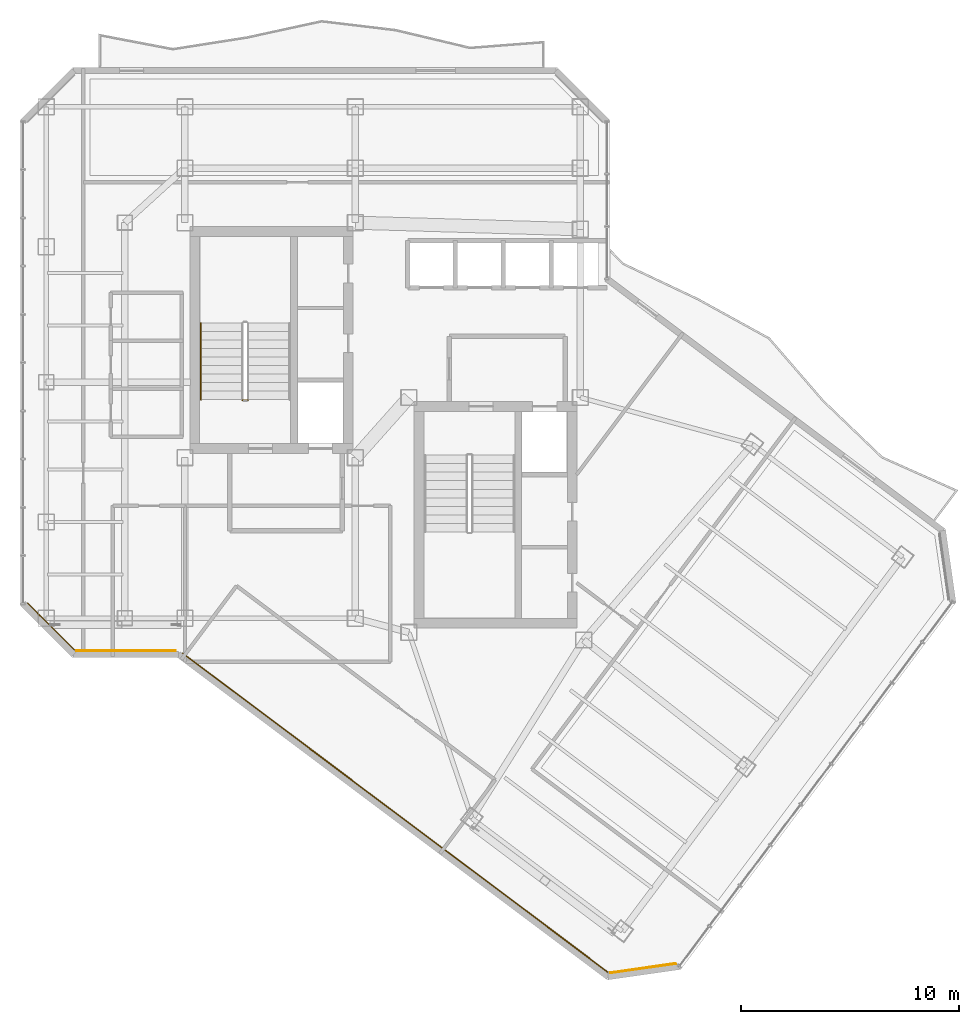
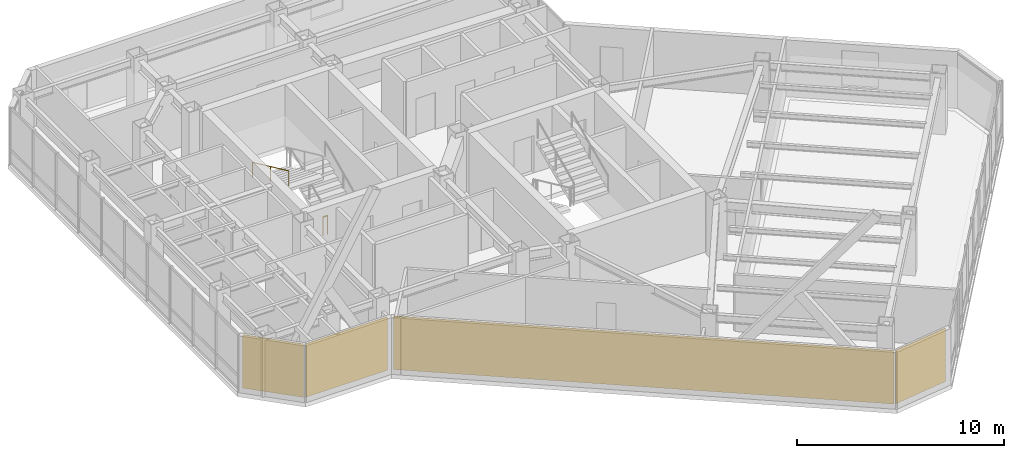
# One storey, part 22 of 24: 4 coverings, 2 railings.
"""IFC4 building model written with IfcOpenShell, lengths in metres."""

from ifc_helpers import new_model, si_unit, direction, frame, origin, origin_2d, place, context, subcontext, project, spatial, rectangle, circle, extrude, material, layer, layer_set, type_object, element, save


model = new_model("IFC4")

# Units and contexts
model_context = context("Model", 3, precision=1e-05, world=origin(), true_north=direction((0.0, 1.0)))
body_context = subcontext(model_context, "Body", "Model", "MODEL_VIEW")
ifc_project = project(units=[si_unit("LENGTHUNIT", "METRE"), si_unit("AREAUNIT", "SQUARE_METRE"), si_unit("VOLUMEUNIT", "CUBIC_METRE"), si_unit("PLANEANGLEUNIT", "RADIAN"), si_unit("MASSUNIT", "GRAM", prefix="KILO")], contexts=[model_context])

# Site, building, storey
site_placement = place(None, origin())
site = spatial("IfcSite", under=ifc_project, at=site_placement, CompositionType="ELEMENT")
building_placement = place(site_placement, origin())
building = spatial("IfcBuilding", under=site, at=building_placement, Name="Hatsunagi Terrace Concourse", CompositionType="ELEMENT")
storey_placement = place(building_placement, frame((0.0, 0.0, 191.550048828125)))
storey = spatial("IfcBuildingStorey", under=building, at=storey_placement, Name="L50", CompositionType="ELEMENT", Elevation=191.550048828125)

# Railings
ifc_material_1 = material(Name="Stainless steel", Category="steel")
ifc_layer_1 = layer(ifc_material_1, 0.044921875)
ifc_layer_set_1 = layer_set([ifc_layer_1], Name="StairPitchHandrail_Tower2000")
railing_type_1 = type_object("IfcRailingType", Name="StairPitchHandrail_Tower2000", PredefinedType="HANDRAIL", material=ifc_layer_set_1)
railing_1_placement = place(storey_placement, frame((26.280029296875, 38.7099609375, 1.97998046875)))
element("IfcRailing", 1, at=railing_1_placement, inside=storey, type_object=railing_type_1, Name="L50 ST-A stair handrail 2", PredefinedType="HANDRAIL", context=body_context, shape_type="SweptSolid", body=[
    extrude(circle(Radius=0.02392578125, at=origin_2d()), frame((0.0, 0.0, 0.8759765625), z_axis=(0.0, -0.907972323039, 0.419030142823), x_axis=(1.0, 0.0, 0.0)), (0.0, 0.0, 1.0), 3.86572265625),
    extrude(circle(Radius=0.02099609375, at=origin_2d()), origin(), (0.0, 0.0, 1.0), 0.851806640625),
    extrude(circle(Radius=0.02099609375, at=origin_2d()), frame((0.0, -1.7548828125, 0.81005859375)), (0.0, 0.0, 1.0), 0.851806640625),
    extrude(circle(Radius=0.02099609375, at=origin_2d()), frame((0.0, -3.510009765625, 1.619873046875)), (0.0, 0.0, 1.0), 0.851806640625),
])
ifc_material_2 = material(Name="Stainless Steel SUS316 Post-and-Rail Guard", Category="steel")
ifc_layer_2 = layer(ifc_material_2, 0.080078125)
ifc_layer_set_2 = layer_set([ifc_layer_2], Name="TerracePlantedGuardRail_1200")
railing_type_2 = type_object("IfcRailingType", Name="TerracePlantedGuardRail_1200", PredefinedType="GUARDRAIL", material=ifc_layer_set_2)
railing_2_placement = place(storey_placement, frame((28.179931640625, 35.179931640625, 0.0)))
element("IfcRailing", 2, at=railing_2_placement, inside=storey, type_object=railing_type_2, Name="Stair ST-A Well Closure Guard L50", PredefinedType="GUARDRAIL", context=body_context, shape_type="SweptSolid", body=[
    extrude(circle(Radius=0.02392578125, at=origin_2d()), frame((0.0, 0.0, 1.09619140625), z_axis=(1.0, 0.0, 0.0), x_axis=(0.0, 1.0, 0.0)), (0.0, 0.0, 1.0), 0.25),
    extrude(circle(Radius=0.02099609375, at=origin_2d()), origin(), (0.0, 0.0, 1.0), 1.072021484375),
    extrude(circle(Radius=0.02099609375, at=origin_2d()), frame((0.25, 0.0, 0.0)), (0.0, 0.0, 1.0), 1.072021484375),
])

# Coverings
ifc_material_3 = material(Name="Unglazed Warm Terracotta Rainscreen Tile", Category="masonry")
ifc_layer_3 = layer(ifc_material_3, 0.044921875)
ifc_layer_set_3 = layer_set([ifc_layer_3], Name="TerracottaRainscreenCladding_45")
covering_type = type_object("IfcCoveringType", Name="TerracottaRainscreenCladding_45", PredefinedType="CLADDING", material=ifc_layer_set_3)
covering_1_placement = place(storey_placement, frame((46.51806640625, 9.178955078125, 0.10009765625), z_axis=(0.0, 0.0, 1.0), x_axis=(-0.989973920543, -0.141250262458, 0.0)))
element("IfcCovering", 3, at=covering_1_placement, inside=storey, type_object=covering_type, Name="Terracotta Rainscreen Cladding L50-04", PredefinedType="CLADDING", context=body_context, shape_type="SweptSolid", body=[
    extrude(rectangle(XDim=3.0380859375, YDim=0.044921875, at=origin_2d()), origin(), (0.0, 0.0, 1.0), 3.14990234375),
])
covering_2_placement = place(storey_placement, frame((35.179931640625, 16.29296875, 0.10009765625), z_axis=(0.0, 0.0, 1.0), x_axis=(-0.800005211305, 0.599993051531, 0.0)))
element("IfcCovering", 4, at=covering_2_placement, inside=storey, type_object=covering_type, Name="Terracotta Rainscreen Cladding L50-05", PredefinedType="CLADDING", context=body_context, shape_type="SweptSolid", body=[
    extrude(rectangle(XDim=24.34912109375, YDim=0.044921875, at=origin_2d()), origin(), (0.0, 0.0, 1.0), 3.14990234375),
])
covering_3_placement = place(storey_placement, frame((22.85205078125, 23.701904296875, 0.10009765625), z_axis=(0.0, 0.0, 1.0), x_axis=(-1.0, 0.0, 0.0)))
element("IfcCovering", 5, at=covering_3_placement, inside=storey, type_object=covering_type, Name="Terracotta Rainscreen Cladding L50-06", PredefinedType="CLADDING", context=body_context, shape_type="SweptSolid", body=[
    extrude(rectangle(XDim=4.549072265625, YDim=0.044921875, at=origin_2d()), origin(), (0.0, 0.0, 1.0), 3.14990234375),
])
covering_4_placement = place(storey_placement, frame((19.4140625, 24.81396484375, 0.10009765625), z_axis=(0.0, 0.0, 1.0), x_axis=(-0.707106781187, 0.707106781187, 0.0)))
element("IfcCovering", 6, at=covering_4_placement, inside=storey, type_object=covering_type, Name="Terracotta Rainscreen Cladding L50-07", PredefinedType="CLADDING", context=body_context, shape_type="SweptSolid", body=[
    extrude(rectangle(XDim=3.0380859375, YDim=0.044921875, at=origin_2d()), origin(), (0.0, 0.0, 1.0), 3.14990234375),
])

save(model, "model.ifc")
